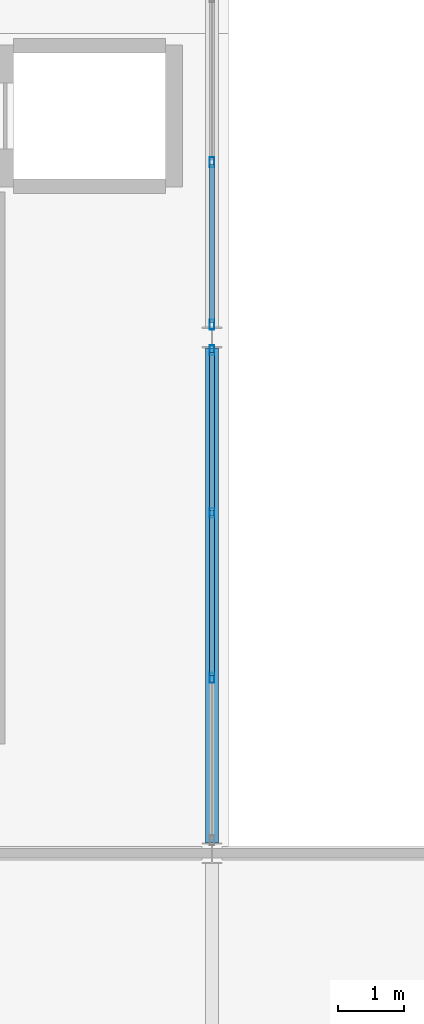
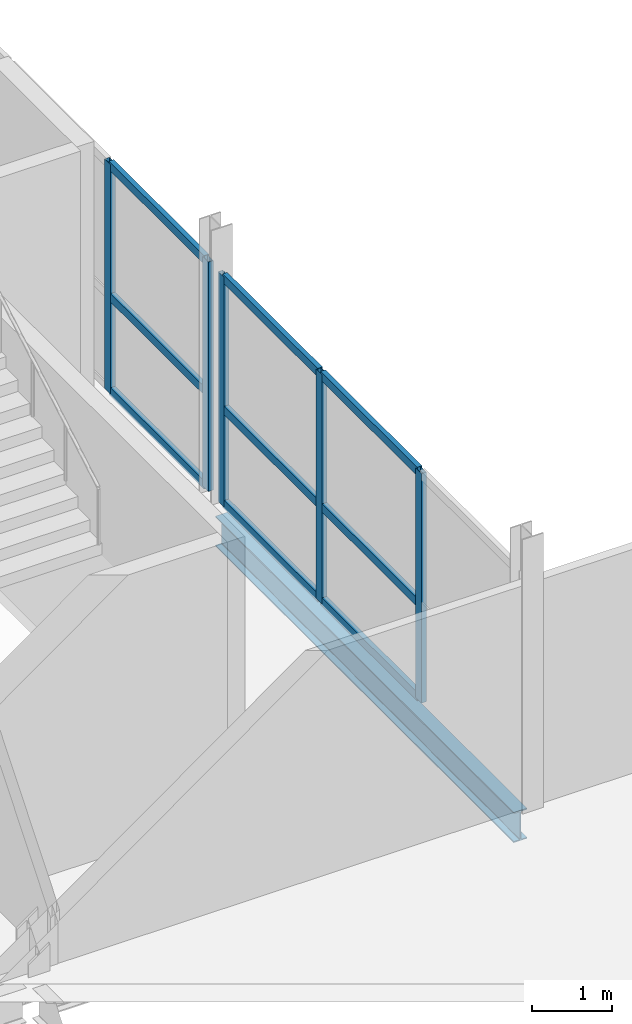
# One storey, part 7 of 65: 14 members, 1 beam, 2 elements without a shape of their own.
"""IFC4 building model written with IfcOpenShell, lengths in metres."""

from ifc_helpers import new_model, si_unit, direction, frame, origin, origin_2d, place, context, subcontext, project, spatial, hollow_rectangle, i_section, extrude, material, layer, layer_set, material_profile, profile_set, type_object, element, aggregate, save


model = new_model("IFC4")

# Units and contexts
model_context = context("Model", 3, precision=1e-05, world=origin(), true_north=direction((0.0, 1.0)))
body_context = subcontext(model_context, "Body", "Model", "MODEL_VIEW")
ifc_project = project(units=[si_unit("LENGTHUNIT", "METRE"), si_unit("AREAUNIT", "SQUARE_METRE"), si_unit("VOLUMEUNIT", "CUBIC_METRE"), si_unit("PLANEANGLEUNIT", "RADIAN"), si_unit("MASSUNIT", "GRAM", prefix="KILO")], contexts=[model_context])

# Site, building, storey
site_placement = place(None, origin())
site = spatial("IfcSite", under=ifc_project, at=site_placement, CompositionType="ELEMENT")
building_placement = place(site_placement, origin())
building = spatial("IfcBuilding", under=site, at=building_placement, Name="Quillay Park Conservatory", CompositionType="ELEMENT")
storey_placement = place(building_placement, frame((0.0, 0.0, 14.10009765625)))
storey = spatial("IfcBuildingStorey", under=building, at=storey_placement, Name="L03", CompositionType="ELEMENT", Elevation=14.10009765625)

# Curtain wall, members
ifc_material_1 = material(Name="Thermally Broken Anodised Aluminium 6063-T6", Category="aluminium")
ifc_layer = layer(ifc_material_1, 0.1650390625)
ifc_layer_set = layer_set([ifc_layer], Name="UNITISED CURTAIN WALL PODIUM (Thermally Broken Anodised Aluminium 6063-T6)")
curtain_wall_type = type_object("IfcCurtainWallType", Name="UNITISED CURTAIN WALL PODIUM", PredefinedType="USERDEFINED", material=ifc_layer_set)
curtain_wall_1_placement = place(storey_placement, origin())
curtain_wall_1 = element("IfcCurtainWall", 1, at=curtain_wall_1_placement, inside=storey, type_object=curtain_wall_type, Name="L03 Unitised Curtain Wall 210", ObjectType="UNITISED CURTAIN WALL", PredefinedType="USERDEFINED")
ifc_material_2 = material(Name="Thermally Broken Anodised Aluminium 6063-T6", Category="aluminium")
ifc_material_profile_1 = material_profile(ifc_material_2, hollow_rectangle(XDim=0.070068359375, YDim=0.14990234375, WallThickness=0.00341796875, at=origin_2d()), Name="AL70x150x3.5")
ifc_profile_set_1 = profile_set([ifc_material_profile_1], Name="Thermally Broken Anodised Aluminium 6063-T6")
member_type_1 = type_object("IfcMemberType", Name="CURTAIN WALL MULLION 70 X150", PredefinedType="MULLION", material=ifc_profile_set_1)
member_1_placement = place(storey_placement, frame((22.14990234375, 23.205078125, 0.0), z_axis=(0.0, 0.0, 1.0), x_axis=(1.0, 0.0, 0.0)))
member_1 = element("IfcMember", 2, at=member_1_placement, type_object=member_type_1, Name="CW-P1 mullion 1", PredefinedType="MULLION", context=body_context, shape_type="SweptSolid", body=[
    extrude(hollow_rectangle(XDim=0.070068359375, YDim=0.14990234375, WallThickness=0.00341796875, at=origin_2d()), origin(), (0.0, 0.0, 1.0), 3.513916015625),
])
member_2_placement = place(storey_placement, frame((22.14990234375, 20.74658203125, 0.0), z_axis=(0.0, 0.0, 1.0), x_axis=(1.0, 0.0, 0.0)))
member_2 = element("IfcMember", 3, at=member_2_placement, type_object=member_type_1, Name="CW-P1 mullion 2", PredefinedType="MULLION", context=body_context, shape_type="SweptSolid", body=[
    extrude(hollow_rectangle(XDim=0.070068359375, YDim=0.14990234375, WallThickness=0.00341796875, at=origin_2d()), origin(), (0.0, 0.0, 1.0), 3.513916015625),
])
member_3_placement = place(storey_placement, frame((22.14990234375, 18.25341796875, 0.0), z_axis=(0.0, 0.0, 1.0), x_axis=(1.0, 0.0, 0.0)))
member_3 = element("IfcMember", 4, at=member_3_placement, type_object=member_type_1, Name="CW-P1 mullion 3", PredefinedType="MULLION", context=body_context, shape_type="SweptSolid", body=[
    extrude(hollow_rectangle(XDim=0.070068359375, YDim=0.14990234375, WallThickness=0.00341796875, at=origin_2d()), origin(), (0.0, 0.0, 1.0), 3.513916015625),
])

curtain_wall_2_placement = place(storey_placement, origin())
curtain_wall_2 = element("IfcCurtainWall", 5, at=curtain_wall_2_placement, inside=storey, type_object=curtain_wall_type, Name="L03 Unitised Curtain Wall 211", ObjectType="UNITISED CURTAIN WALL", PredefinedType="USERDEFINED")
member_4_placement = place(storey_placement, frame((22.14990234375, 26.05322265625, 0.0), z_axis=(0.0, 0.0, 1.0), x_axis=(1.0, 0.0, 0.0)))
member_4 = element("IfcMember", 6, at=member_4_placement, type_object=member_type_1, Name="CW-P1 mullion 3", PredefinedType="MULLION", context=body_context, shape_type="SweptSolid", body=[
    extrude(hollow_rectangle(XDim=0.070068359375, YDim=0.14990234375, WallThickness=0.00341796875, at=origin_2d()), origin(), (0.0, 0.0, 1.0), 3.513916015625),
])
member_5_placement = place(storey_placement, frame((22.14990234375, 23.594970703125, 0.0), z_axis=(0.0, 0.0, 1.0), x_axis=(1.0, 0.0, 0.0)))
member_5 = element("IfcMember", 7, at=member_5_placement, type_object=member_type_1, Name="CW-P1 mullion 4", PredefinedType="MULLION", context=body_context, shape_type="SweptSolid", body=[
    extrude(hollow_rectangle(XDim=0.070068359375, YDim=0.14990234375, WallThickness=0.00341796875, at=origin_2d()), origin(), (0.0, 0.0, 1.0), 3.513916015625),
])

# Member
ifc_material_3 = material(Name="Thermally Broken Anodised Aluminium 6063-T6", Category="aluminium")
ifc_material_profile_2 = material_profile(ifc_material_3, hollow_rectangle(XDim=0.070068359375, YDim=0.1298828125, WallThickness=0.003173828125, at=origin_2d()), Name="AL70x130x3.2")
ifc_profile_set_2 = profile_set([ifc_material_profile_2], Name="Thermally Broken Anodised Aluminium 6063-T6")
member_type_2 = type_object("IfcMemberType", Name="CURTAIN WALL TRANSOM 70 X130", PredefinedType="USERDEFINED", material=ifc_profile_set_2)
member_6_placement = place(storey_placement, frame((22.14990234375, 23.169921875, 0.034912109375), z_axis=(0.0, -1.0, 0.0), x_axis=(1.0, 0.0, 0.0)))
member_6 = element("IfcMember", 8, at=member_6_placement, type_object=member_type_2, Name="CW-P1 transom 1.1", ObjectType="TRANSOM", PredefinedType="USERDEFINED", context=body_context, shape_type="SweptSolid", body=[
    extrude(hollow_rectangle(XDim=0.070068359375, YDim=0.1298828125, WallThickness=0.003173828125, at=origin_2d()), origin(), (0.0, 0.0, 1.0), 2.38818359375),
])

member_7_placement = place(storey_placement, frame((22.14990234375, 23.169921875, 1.475830078125), z_axis=(0.0, -1.0, 0.0), x_axis=(1.0, 0.0, 0.0)))
member_7 = element("IfcMember", 9, at=member_7_placement, type_object=member_type_2, Name="CW-P1 transom 1.2", ObjectType="TRANSOM", PredefinedType="USERDEFINED", context=body_context, shape_type="SweptSolid", body=[
    extrude(hollow_rectangle(XDim=0.070068359375, YDim=0.1298828125, WallThickness=0.003173828125, at=origin_2d()), origin(), (0.0, 0.0, 1.0), 2.38818359375),
])

member_8_placement = place(storey_placement, frame((22.14990234375, 23.169921875, 3.47900390625), z_axis=(0.0, -1.0, 0.0), x_axis=(1.0, 0.0, 0.0)))
member_8 = element("IfcMember", 10, at=member_8_placement, type_object=member_type_2, Name="CW-P1 transom 1.3", ObjectType="TRANSOM", PredefinedType="USERDEFINED", context=body_context, shape_type="SweptSolid", body=[
    extrude(hollow_rectangle(XDim=0.070068359375, YDim=0.1298828125, WallThickness=0.003173828125, at=origin_2d()), origin(), (0.0, 0.0, 1.0), 2.38818359375),
])

member_9_placement = place(storey_placement, frame((22.14990234375, 20.711669921875, 0.034912109375), z_axis=(0.0, -1.0, 0.0), x_axis=(1.0, 0.0, 0.0)))
member_9 = element("IfcMember", 11, at=member_9_placement, type_object=member_type_2, Name="CW-P1 transom 2.1", ObjectType="TRANSOM", PredefinedType="USERDEFINED", context=body_context, shape_type="SweptSolid", body=[
    extrude(hollow_rectangle(XDim=0.070068359375, YDim=0.1298828125, WallThickness=0.003173828125, at=origin_2d()), origin(), (0.0, 0.0, 1.0), 2.42333984375),
])

member_10_placement = place(storey_placement, frame((22.14990234375, 20.711669921875, 1.475830078125), z_axis=(0.0, -1.0, 0.0), x_axis=(1.0, 0.0, 0.0)))
member_10 = element("IfcMember", 12, at=member_10_placement, type_object=member_type_2, Name="CW-P1 transom 2.2", ObjectType="TRANSOM", PredefinedType="USERDEFINED", context=body_context, shape_type="SweptSolid", body=[
    extrude(hollow_rectangle(XDim=0.070068359375, YDim=0.1298828125, WallThickness=0.003173828125, at=origin_2d()), origin(), (0.0, 0.0, 1.0), 2.42333984375),
])

member_11_placement = place(storey_placement, frame((22.14990234375, 20.711669921875, 3.47900390625), z_axis=(0.0, -1.0, 0.0), x_axis=(1.0, 0.0, 0.0)))
member_11 = element("IfcMember", 13, at=member_11_placement, type_object=member_type_2, Name="CW-P1 transom 2.3", ObjectType="TRANSOM", PredefinedType="USERDEFINED", context=body_context, shape_type="SweptSolid", body=[
    extrude(hollow_rectangle(XDim=0.070068359375, YDim=0.1298828125, WallThickness=0.003173828125, at=origin_2d()), origin(), (0.0, 0.0, 1.0), 2.42333984375),
])

aggregate(curtain_wall_1, [member_1, member_2, member_3, member_6, member_7, member_8, member_9, member_10, member_11])

member_12_placement = place(storey_placement, frame((22.14990234375, 26.018310546875, 0.034912109375), z_axis=(0.0, -1.0, 0.0), x_axis=(1.0, 0.0, 0.0)))
member_12 = element("IfcMember", 14, at=member_12_placement, type_object=member_type_2, Name="CW-P1 transom 3.1", ObjectType="TRANSOM", PredefinedType="USERDEFINED", context=body_context, shape_type="SweptSolid", body=[
    extrude(hollow_rectangle(XDim=0.070068359375, YDim=0.1298828125, WallThickness=0.003173828125, at=origin_2d()), origin(), (0.0, 0.0, 1.0), 2.388427734375),
])

member_13_placement = place(storey_placement, frame((22.14990234375, 26.018310546875, 1.475830078125), z_axis=(0.0, -1.0, 0.0), x_axis=(1.0, 0.0, 0.0)))
member_13 = element("IfcMember", 15, at=member_13_placement, type_object=member_type_2, Name="CW-P1 transom 3.2", ObjectType="TRANSOM", PredefinedType="USERDEFINED", context=body_context, shape_type="SweptSolid", body=[
    extrude(hollow_rectangle(XDim=0.070068359375, YDim=0.1298828125, WallThickness=0.003173828125, at=origin_2d()), origin(), (0.0, 0.0, 1.0), 2.388427734375),
])

member_14_placement = place(storey_placement, frame((22.14990234375, 26.018310546875, 3.47900390625), z_axis=(0.0, -1.0, 0.0), x_axis=(1.0, 0.0, 0.0)))
member_14 = element("IfcMember", 16, at=member_14_placement, type_object=member_type_2, Name="CW-P1 transom 3.3", ObjectType="TRANSOM", PredefinedType="USERDEFINED", context=body_context, shape_type="SweptSolid", body=[
    extrude(hollow_rectangle(XDim=0.070068359375, YDim=0.1298828125, WallThickness=0.003173828125, at=origin_2d()), origin(), (0.0, 0.0, 1.0), 2.388427734375),
])

aggregate(curtain_wall_2, [member_4, member_5, member_12, member_13, member_14])

# Beam
ifc_material_4 = material(Name="Steel ASTM A992 Grade 50", Category="steel")
ifc_material_profile_3 = material_profile(ifc_material_4, i_section(OverallWidth=0.19189453125, OverallDepth=0.462890625, WebThickness=0.010498046875, FlangeThickness=0.017578125, FilletRadius=0.012939453125, at=origin_2d()), Name="W460x89")
ifc_profile_set_3 = profile_set([ifc_material_profile_3], Name="Steel ASTM A992 Grade 50")
beam_type = type_object("IfcBeamType", Name="PRIMARY FLOOR GIRDER W460 X89", PredefinedType="BEAM", material=ifc_profile_set_3)
beam_placement = place(storey_placement, frame((22.14990234375, 15.757080078125, -0.41650390625), z_axis=(0.0, 1.0, 0.0), x_axis=(-1.0, 0.0, 0.0)))
element("IfcBeam", 17, at=beam_placement, inside=storey, type_object=beam_type, Name="L03 beam BM-V3Y-1446", PredefinedType="BEAM", context=body_context, shape_type="SweptSolid", body=[
    extrude(i_section(OverallWidth=0.19189453125, OverallDepth=0.462890625, WebThickness=0.010498046875, FlangeThickness=0.017578125, FilletRadius=0.012939453125, at=origin_2d()), origin(), (0.0, 0.0, 1.0), 7.48583984375),
])

save(model, "model.ifc")
